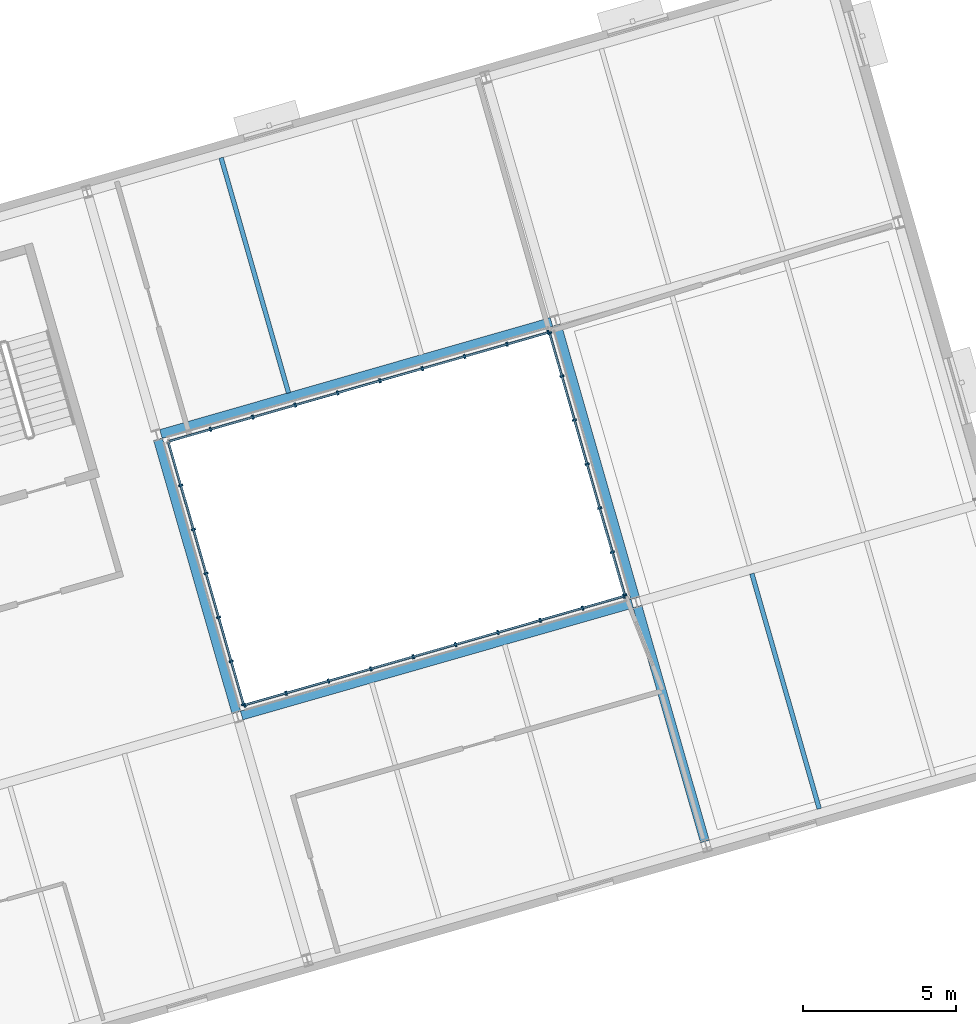
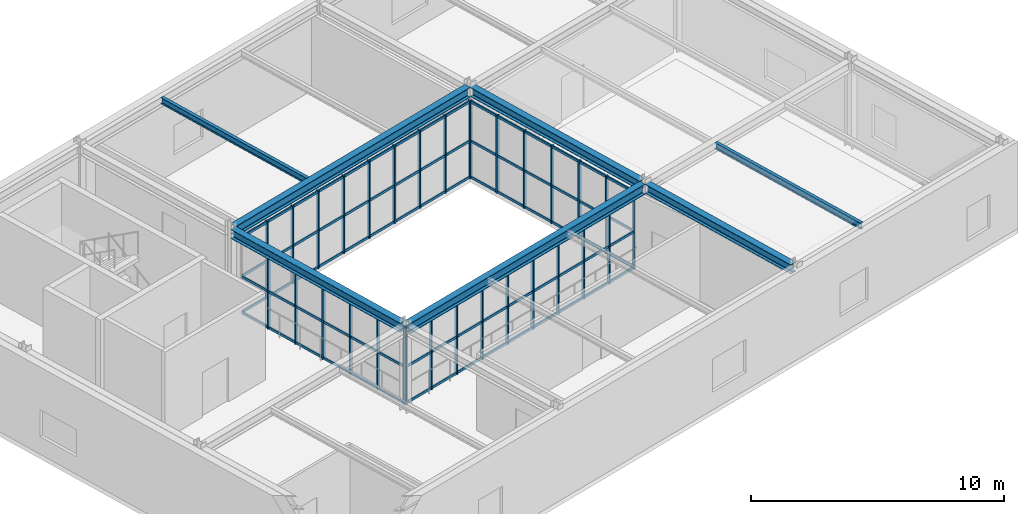
# One storey, part 53 of 103: 44 members, 7 beams, 4 elements without a shape of their own.
"""IFC4 building model written with IfcOpenShell, lengths in metres."""

from ifc_helpers import new_model, si_unit, direction, frame, origin, origin_2d, place, context, subcontext, project, spatial, rectangle, i_section, extrude, material, material_profile, profile_set, type_object, element, aggregate, save


model = new_model("IFC4")

# Units and contexts
model_context = context("Model", 3, precision=1e-05, world=origin(), true_north=direction((0.0, 1.0)))
body_context = subcontext(model_context, "Body", "Model", "MODEL_VIEW")
ifc_project = project(units=[si_unit("LENGTHUNIT", "METRE"), si_unit("AREAUNIT", "SQUARE_METRE"), si_unit("VOLUMEUNIT", "CUBIC_METRE"), si_unit("PLANEANGLEUNIT", "RADIAN"), si_unit("MASSUNIT", "GRAM", prefix="KILO")], contexts=[model_context])

# Site, building, storey
site_placement = place(None, origin())
site = spatial("IfcSite", under=ifc_project, at=site_placement, CompositionType="ELEMENT")
building_placement = place(site_placement, origin())
building = spatial("IfcBuilding", under=site, at=building_placement, Name="Varnklinge Art Gallery", CompositionType="ELEMENT")
storey_placement = place(building_placement, frame((0.0, 0.0, 5.10009765625)))
storey = spatial("IfcBuildingStorey", under=building, at=storey_placement, Name="L01", CompositionType="ELEMENT", Elevation=5.10009765625)

# Beams
ifc_material_1 = material(Name="Steel S355", Category="steel")
ifc_material_profile_1 = material_profile(ifc_material_1, i_section(OverallWidth=0.300048828125, OverallDepth=0.489990234375, WebThickness=0.011962890625, FlangeThickness=0.02294921875, FilletRadius=0.027099609375, at=origin_2d()), Name="HEA 500")
ifc_profile_set_1 = profile_set([ifc_material_profile_1], Name="Steel S355")
beam_type_1 = type_object("IfcBeamType", Name="BM-07", PredefinedType="BEAM", material=ifc_profile_set_1)
for number, where, z_axis, x_axis, name in (
    (1, (133.921142578125, 21.05029296875, 3.954833984375), (0.961263452766, 0.275631228958, 0.0), (-0.275631228958, 0.961263452766, 0.0), "L01 BM-07 BM-V6-L02-U1-1"),
    (2, (131.27490234375, 30.2783203125, 3.954833984375), (0.961263452766, 0.275631228958, 0.0), (-0.275631228958, 0.961263452766, 0.0), "L01 BM-07 BM-V6-L02-U2-1"),
):
    element("IfcBeam", number, at=place(storey_placement, frame(where, z_axis=z_axis, x_axis=x_axis)), inside=storey, type_object=beam_type_1, Name=name, PredefinedType="BEAM", context=body_context, shape_type="SweptSolid", body=[
        extrude(i_section(OverallWidth=0.300048828125, OverallDepth=0.489990234375, WebThickness=0.011962890625, FlangeThickness=0.02294921875, FilletRadius=0.027099609375, at=origin_2d()), origin(), (0.0, 0.0, 1.0), 13.31982421875),
    ])
ifc_material_2 = material(Name="Steel S355", Category="steel")
ifc_material_profile_2 = material_profile(ifc_material_2, i_section(OverallWidth=0.300048828125, OverallDepth=0.43994140625, WebThickness=0.011474609375, FlangeThickness=0.02099609375, FilletRadius=0.027099609375, at=origin_2d()), Name="HEA 450")
ifc_profile_set_2 = profile_set([ifc_material_profile_2], Name="Steel S355")
beam_type_2 = type_object("IfcBeamType", Name="BM-08", PredefinedType="BEAM", material=ifc_profile_set_2)
beam_1_placement = place(storey_placement, frame((133.747802734375, 21.146240234375, 3.97998046875), z_axis=(-0.275634404399, 0.961262542239, 0.0), x_axis=(-0.961262542239, -0.275634404399, 0.0)))
element("IfcBeam", 3, at=beam_1_placement, inside=storey, type_object=beam_type_2, Name="L01 BM-08 BM-V6-L02-V1-1", PredefinedType="BEAM", context=body_context, shape_type="SweptSolid", body=[
    extrude(i_section(OverallWidth=0.300048828125, OverallDepth=0.43994140625, WebThickness=0.011474609375, FlangeThickness=0.02099609375, FilletRadius=0.027099609375, at=origin_2d()), origin(), (0.0, 0.0, 1.0), 9.31982421875),
])
beam_2_placement = place(storey_placement, frame((149.10888671875, 16.91650390625, 3.97998046875), z_axis=(-0.275649759333, 0.961258139201, 0.0), x_axis=(-0.961258139201, -0.275649759333, 0.0)))
element("IfcBeam", 4, at=beam_2_placement, inside=storey, type_object=beam_type_2, Name="L01 BM-08 BM-V6-L02-V2-0", PredefinedType="BEAM", context=body_context, shape_type="SweptSolid", body=[
    extrude(i_section(OverallWidth=0.300048828125, OverallDepth=0.43994140625, WebThickness=0.011474609375, FlangeThickness=0.02099609375, FilletRadius=0.027099609375, at=origin_2d()), origin(), (0.0, 0.0, 1.0), 8.02001953125),
])
beam_3_placement = place(storey_placement, frame((146.821044921875, 24.89501953125, 3.97998046875), z_axis=(-0.275634404399, 0.961262542239, 0.0), x_axis=(-0.961262542239, -0.275634404399, 0.0)))
element("IfcBeam", 5, at=beam_3_placement, inside=storey, type_object=beam_type_2, Name="L01 BM-08 BM-V6-L02-V2-1", PredefinedType="BEAM", context=body_context, shape_type="SweptSolid", body=[
    extrude(i_section(OverallWidth=0.300048828125, OverallDepth=0.43994140625, WebThickness=0.011474609375, FlangeThickness=0.02099609375, FilletRadius=0.027099609375, at=origin_2d()), origin(), (0.0, 0.0, 1.0), 9.31982421875),
])
ifc_material_3 = material(Name="Steel S355", Category="steel")
ifc_material_profile_3 = material_profile(ifc_material_3, i_section(OverallWidth=0.14990234375, OverallDepth=0.300048828125, WebThickness=0.007080078125, FlangeThickness=0.0107421875, FilletRadius=0.014892578125, at=origin_2d()), Name="IPE 300")
ifc_profile_set_3 = profile_set([ifc_material_profile_3], Name="Steel S355")
beam_type_3 = type_object("IfcBeamType", Name="JST-08", PredefinedType="JOIST", material=ifc_profile_set_3)
beam_4_placement = place(storey_placement, frame((135.45947265625, 31.623779296875, 4.0498046875), z_axis=(-0.2756416934, 0.961260452146, 0.0), x_axis=(-0.961260452146, -0.2756416934, 0.0)))
element("IfcBeam", 6, at=beam_4_placement, inside=storey, type_object=beam_type_3, Name="L01 JST-08 JST-V6-L02-1-2-1", PredefinedType="JOIST", context=body_context, shape_type="SweptSolid", body=[
    extrude(i_section(OverallWidth=0.14990234375, OverallDepth=0.300048828125, WebThickness=0.007080078125, FlangeThickness=0.0107421875, FilletRadius=0.014892578125, at=origin_2d()), origin(), (0.0, 0.0, 1.0), 8.020263671875),
])
beam_5_placement = place(storey_placement, frame((152.857666015625, 17.991455078125, 4.0498046875), z_axis=(-0.275621630307, 0.961266205016, 0.0), x_axis=(-0.961266205016, -0.275621630307, 0.0)))
element("IfcBeam", 7, at=beam_5_placement, inside=storey, type_object=beam_type_3, Name="L01 JST-08 JST-V6-L02-2-0-1", PredefinedType="JOIST", context=body_context, shape_type="SweptSolid", body=[
    extrude(i_section(OverallWidth=0.14990234375, OverallDepth=0.300048828125, WebThickness=0.007080078125, FlangeThickness=0.0107421875, FilletRadius=0.014892578125, at=origin_2d()), origin(), (0.0, 0.0, 1.0), 8.019775390625),
])

# Curtain wall, members
ifc_material_4 = material(Name="Anodised Aluminium", Category="aluminium")
curtain_wall_type = type_object("IfcCurtainWallType", Name="CW-C02", PredefinedType="USERDEFINED", material=ifc_material_4)
curtain_wall_1_placement = place(storey_placement, origin())
curtain_wall_1 = element("IfcCurtainWall", 8, at=curtain_wall_1_placement, inside=storey, type_object=curtain_wall_type, Name="L01 Curtain Wall CW-V6C-L01-1", ObjectType="UNITISED CURTAIN WALL", PredefinedType="USERDEFINED")
ifc_material_5 = material(Name="Anodised Aluminium", Category="aluminium")
ifc_material_profile_4 = material_profile(ifc_material_5, rectangle(XDim=0.06005859375, YDim=0.139892578125, at=origin_2d()), Name="ALU 60x140")
ifc_profile_set_4 = profile_set([ifc_material_profile_4], Name="Anodised Aluminium")
member_type_1 = type_object("IfcMemberType", Name="MUL-03", PredefinedType="MULLION", material=ifc_profile_set_4)
member_1_placement = place(storey_placement, frame((146.459716796875, 24.957763671875, 0.0), z_axis=(0.0, 0.0, 1.0), x_axis=(-0.961261695938, -0.275637355817, 0.0)))
member_1 = element("IfcMember", 9, at=member_1_placement, type_object=member_type_1, Name="CW-V6C-L01-1 Mullion 1", PredefinedType="MULLION", context=body_context, shape_type="SweptSolid", body=[
    extrude(rectangle(XDim=0.06005859375, YDim=0.139892578125, at=origin_2d()), origin(), (0.0, 0.0, 1.0), 3.75),
])
member_2_placement = place(storey_placement, frame((145.10009765625, 24.56787109375, 0.0), z_axis=(0.0, 0.0, 1.0), x_axis=(-0.961261695938, -0.275637355817, 0.0)))
member_2 = element("IfcMember", 10, at=member_2_placement, type_object=member_type_1, Name="CW-V6C-L01-1 Mullion 2", PredefinedType="MULLION", context=body_context, shape_type="SweptSolid", body=[
    extrude(rectangle(XDim=0.06005859375, YDim=0.139892578125, at=origin_2d()), origin(), (0.0, 0.0, 1.0), 3.75),
])
member_3_placement = place(storey_placement, frame((143.711669921875, 24.169677734375, 0.0), z_axis=(0.0, 0.0, 1.0), x_axis=(-0.961261695938, -0.275637355817, 0.0)))
member_3 = element("IfcMember", 11, at=member_3_placement, type_object=member_type_1, Name="CW-V6C-L01-1 Mullion 3", PredefinedType="MULLION", context=body_context, shape_type="SweptSolid", body=[
    extrude(rectangle(XDim=0.06005859375, YDim=0.139892578125, at=origin_2d()), origin(), (0.0, 0.0, 1.0), 3.75),
])
member_4_placement = place(storey_placement, frame((142.322998046875, 23.771484375, 0.0), z_axis=(0.0, 0.0, 1.0), x_axis=(-0.961261695938, -0.275637355817, 0.0)))
member_4 = element("IfcMember", 12, at=member_4_placement, type_object=member_type_1, Name="CW-V6C-L01-1 Mullion 4", PredefinedType="MULLION", context=body_context, shape_type="SweptSolid", body=[
    extrude(rectangle(XDim=0.06005859375, YDim=0.139892578125, at=origin_2d()), origin(), (0.0, 0.0, 1.0), 3.75),
])
member_5_placement = place(storey_placement, frame((140.9345703125, 23.373291015625, 0.0), z_axis=(0.0, 0.0, 1.0), x_axis=(-0.961261695938, -0.275637355817, 0.0)))
member_5 = element("IfcMember", 13, at=member_5_placement, type_object=member_type_1, Name="CW-V6C-L01-1 Mullion 5", PredefinedType="MULLION", context=body_context, shape_type="SweptSolid", body=[
    extrude(rectangle(XDim=0.06005859375, YDim=0.139892578125, at=origin_2d()), origin(), (0.0, 0.0, 1.0), 3.75),
])
member_6_placement = place(storey_placement, frame((139.546142578125, 22.975341796875, 0.0), z_axis=(0.0, 0.0, 1.0), x_axis=(-0.961261695938, -0.275637355817, 0.0)))
member_6 = element("IfcMember", 14, at=member_6_placement, type_object=member_type_1, Name="CW-V6C-L01-1 Mullion 6", PredefinedType="MULLION", context=body_context, shape_type="SweptSolid", body=[
    extrude(rectangle(XDim=0.06005859375, YDim=0.139892578125, at=origin_2d()), origin(), (0.0, 0.0, 1.0), 3.75),
])
member_7_placement = place(storey_placement, frame((138.15771484375, 22.5771484375, 0.0), z_axis=(0.0, 0.0, 1.0), x_axis=(-0.961261695938, -0.275637355817, 0.0)))
member_7 = element("IfcMember", 15, at=member_7_placement, type_object=member_type_1, Name="CW-V6C-L01-1 Mullion 7", PredefinedType="MULLION", context=body_context, shape_type="SweptSolid", body=[
    extrude(rectangle(XDim=0.06005859375, YDim=0.139892578125, at=origin_2d()), origin(), (0.0, 0.0, 1.0), 3.75),
])
member_8_placement = place(storey_placement, frame((136.769287109375, 22.178955078125, 0.0), z_axis=(0.0, 0.0, 1.0), x_axis=(-0.961261695938, -0.275637355817, 0.0)))
member_8 = element("IfcMember", 16, at=member_8_placement, type_object=member_type_1, Name="CW-V6C-L01-1 Mullion 8", PredefinedType="MULLION", context=body_context, shape_type="SweptSolid", body=[
    extrude(rectangle(XDim=0.06005859375, YDim=0.139892578125, at=origin_2d()), origin(), (0.0, 0.0, 1.0), 3.75),
])
member_9_placement = place(storey_placement, frame((135.380615234375, 21.78076171875, 0.0), z_axis=(0.0, 0.0, 1.0), x_axis=(-0.961261695938, -0.275637355817, 0.0)))
member_9 = element("IfcMember", 17, at=member_9_placement, type_object=member_type_1, Name="CW-V6C-L01-1 Mullion 9", PredefinedType="MULLION", context=body_context, shape_type="SweptSolid", body=[
    extrude(rectangle(XDim=0.06005859375, YDim=0.139892578125, at=origin_2d()), origin(), (0.0, 0.0, 1.0), 3.75),
])
member_10_placement = place(storey_placement, frame((134.02099609375, 21.39111328125, 0.0), z_axis=(0.0, 0.0, 1.0), x_axis=(-0.961261695938, -0.275637355817, 0.0)))
member_10 = element("IfcMember", 18, at=member_10_placement, type_object=member_type_1, Name="CW-V6C-L01-1 Mullion 10", PredefinedType="MULLION", context=body_context, shape_type="SweptSolid", body=[
    extrude(rectangle(XDim=0.06005859375, YDim=0.139892578125, at=origin_2d()), origin(), (0.0, 0.0, 1.0), 3.75),
])

curtain_wall_2_placement = place(storey_placement, origin())
curtain_wall_2 = element("IfcCurtainWall", 19, at=curtain_wall_2_placement, inside=storey, type_object=curtain_wall_type, Name="L01 Curtain Wall CW-V6C-L01-2", ObjectType="UNITISED CURTAIN WALL", PredefinedType="USERDEFINED")
member_11_placement = place(storey_placement, frame((144.01611328125, 33.58837890625, 0.0), z_axis=(0.0, 0.0, 1.0), x_axis=(0.275637355817, -0.961261695938, 0.0)))
member_11 = element("IfcMember", 20, at=member_11_placement, type_object=member_type_1, Name="CW-V6C-L01-2 Mullion 1", PredefinedType="MULLION", context=body_context, shape_type="SweptSolid", body=[
    extrude(rectangle(XDim=0.06005859375, YDim=0.139892578125, at=origin_2d()), origin(), (0.0, 0.0, 1.0), 3.75),
])
member_12_placement = place(storey_placement, frame((144.42138671875, 32.17529296875, 0.0), z_axis=(0.0, 0.0, 1.0), x_axis=(0.275637355817, -0.961261695938, 0.0)))
member_12 = element("IfcMember", 21, at=member_12_placement, type_object=member_type_1, Name="CW-V6C-L01-2 Mullion 2", PredefinedType="MULLION", context=body_context, shape_type="SweptSolid", body=[
    extrude(rectangle(XDim=0.06005859375, YDim=0.139892578125, at=origin_2d()), origin(), (0.0, 0.0, 1.0), 3.75),
])
member_13_placement = place(storey_placement, frame((144.834716796875, 30.7333984375, 0.0), z_axis=(0.0, 0.0, 1.0), x_axis=(0.275637355817, -0.961261695938, 0.0)))
member_13 = element("IfcMember", 22, at=member_13_placement, type_object=member_type_1, Name="CW-V6C-L01-2 Mullion 3", PredefinedType="MULLION", context=body_context, shape_type="SweptSolid", body=[
    extrude(rectangle(XDim=0.06005859375, YDim=0.139892578125, at=origin_2d()), origin(), (0.0, 0.0, 1.0), 3.75),
])
member_14_placement = place(storey_placement, frame((145.248291015625, 29.291748046875, 0.0), z_axis=(0.0, 0.0, 1.0), x_axis=(0.275637355817, -0.961261695938, 0.0)))
member_14 = element("IfcMember", 23, at=member_14_placement, type_object=member_type_1, Name="CW-V6C-L01-2 Mullion 4", PredefinedType="MULLION", context=body_context, shape_type="SweptSolid", body=[
    extrude(rectangle(XDim=0.06005859375, YDim=0.139892578125, at=origin_2d()), origin(), (0.0, 0.0, 1.0), 3.75),
])
member_15_placement = place(storey_placement, frame((145.66162109375, 27.849853515625, 0.0), z_axis=(0.0, 0.0, 1.0), x_axis=(0.275637355817, -0.961261695938, 0.0)))
member_15 = element("IfcMember", 24, at=member_15_placement, type_object=member_type_1, Name="CW-V6C-L01-2 Mullion 5", PredefinedType="MULLION", context=body_context, shape_type="SweptSolid", body=[
    extrude(rectangle(XDim=0.06005859375, YDim=0.139892578125, at=origin_2d()), origin(), (0.0, 0.0, 1.0), 3.75),
])
member_16_placement = place(storey_placement, frame((146.0751953125, 26.407958984375, 0.0), z_axis=(0.0, 0.0, 1.0), x_axis=(0.275637355817, -0.961261695938, 0.0)))
member_16 = element("IfcMember", 25, at=member_16_placement, type_object=member_type_1, Name="CW-V6C-L01-2 Mullion 6", PredefinedType="MULLION", context=body_context, shape_type="SweptSolid", body=[
    extrude(rectangle(XDim=0.06005859375, YDim=0.139892578125, at=origin_2d()), origin(), (0.0, 0.0, 1.0), 3.75),
])
member_17_placement = place(storey_placement, frame((146.480224609375, 24.994873046875, 0.0), z_axis=(0.0, 0.0, 1.0), x_axis=(0.275637355817, -0.961261695938, 0.0)))
member_17 = element("IfcMember", 26, at=member_17_placement, type_object=member_type_1, Name="CW-V6C-L01-2 Mullion 7", PredefinedType="MULLION", context=body_context, shape_type="SweptSolid", body=[
    extrude(rectangle(XDim=0.06005859375, YDim=0.139892578125, at=origin_2d()), origin(), (0.0, 0.0, 1.0), 3.75),
])

curtain_wall_3_placement = place(storey_placement, origin())
curtain_wall_3 = element("IfcCurtainWall", 27, at=curtain_wall_3_placement, inside=storey, type_object=curtain_wall_type, Name="L01 Curtain Wall CW-V6C-L01-3", ObjectType="UNITISED CURTAIN WALL", PredefinedType="USERDEFINED")
member_18_placement = place(storey_placement, frame((132.89990234375, 30.43212890625, 0.0), z_axis=(0.0, 0.0, 1.0), x_axis=(0.961261695938, 0.275637355817, 0.0)))
member_18 = element("IfcMember", 28, at=member_18_placement, type_object=member_type_1, Name="CW-V6C-L01-3 Mullion 2", PredefinedType="MULLION", context=body_context, shape_type="SweptSolid", body=[
    extrude(rectangle(XDim=0.06005859375, YDim=0.139892578125, at=origin_2d()), origin(), (0.0, 0.0, 1.0), 3.75),
])
member_19_placement = place(storey_placement, frame((134.288330078125, 30.830322265625, 0.0), z_axis=(0.0, 0.0, 1.0), x_axis=(0.961261695938, 0.275637355817, 0.0)))
member_19 = element("IfcMember", 29, at=member_19_placement, type_object=member_type_1, Name="CW-V6C-L01-3 Mullion 3", PredefinedType="MULLION", context=body_context, shape_type="SweptSolid", body=[
    extrude(rectangle(XDim=0.06005859375, YDim=0.139892578125, at=origin_2d()), origin(), (0.0, 0.0, 1.0), 3.75),
])
member_20_placement = place(storey_placement, frame((135.677001953125, 31.228515625, 0.0), z_axis=(0.0, 0.0, 1.0), x_axis=(0.961261695938, 0.275637355817, 0.0)))
member_20 = element("IfcMember", 30, at=member_20_placement, type_object=member_type_1, Name="CW-V6C-L01-3 Mullion 4", PredefinedType="MULLION", context=body_context, shape_type="SweptSolid", body=[
    extrude(rectangle(XDim=0.06005859375, YDim=0.139892578125, at=origin_2d()), origin(), (0.0, 0.0, 1.0), 3.75),
])
member_21_placement = place(storey_placement, frame((137.0654296875, 31.626708984375, 0.0), z_axis=(0.0, 0.0, 1.0), x_axis=(0.961261695938, 0.275637355817, 0.0)))
member_21 = element("IfcMember", 31, at=member_21_placement, type_object=member_type_1, Name="CW-V6C-L01-3 Mullion 5", PredefinedType="MULLION", context=body_context, shape_type="SweptSolid", body=[
    extrude(rectangle(XDim=0.06005859375, YDim=0.139892578125, at=origin_2d()), origin(), (0.0, 0.0, 1.0), 3.75),
])
member_22_placement = place(storey_placement, frame((138.453857421875, 32.024658203125, 0.0), z_axis=(0.0, 0.0, 1.0), x_axis=(0.961261695938, 0.275637355817, 0.0)))
member_22 = element("IfcMember", 32, at=member_22_placement, type_object=member_type_1, Name="CW-V6C-L01-3 Mullion 6", PredefinedType="MULLION", context=body_context, shape_type="SweptSolid", body=[
    extrude(rectangle(XDim=0.06005859375, YDim=0.139892578125, at=origin_2d()), origin(), (0.0, 0.0, 1.0), 3.75),
])
member_23_placement = place(storey_placement, frame((139.84228515625, 32.4228515625, 0.0), z_axis=(0.0, 0.0, 1.0), x_axis=(0.961261695938, 0.275637355817, 0.0)))
member_23 = element("IfcMember", 33, at=member_23_placement, type_object=member_type_1, Name="CW-V6C-L01-3 Mullion 7", PredefinedType="MULLION", context=body_context, shape_type="SweptSolid", body=[
    extrude(rectangle(XDim=0.06005859375, YDim=0.139892578125, at=origin_2d()), origin(), (0.0, 0.0, 1.0), 3.75),
])
member_24_placement = place(storey_placement, frame((141.230712890625, 32.821044921875, 0.0), z_axis=(0.0, 0.0, 1.0), x_axis=(0.961261695938, 0.275637355817, 0.0)))
member_24 = element("IfcMember", 34, at=member_24_placement, type_object=member_type_1, Name="CW-V6C-L01-3 Mullion 8", PredefinedType="MULLION", context=body_context, shape_type="SweptSolid", body=[
    extrude(rectangle(XDim=0.06005859375, YDim=0.139892578125, at=origin_2d()), origin(), (0.0, 0.0, 1.0), 3.75),
])
member_25_placement = place(storey_placement, frame((142.619384765625, 33.21923828125, 0.0), z_axis=(0.0, 0.0, 1.0), x_axis=(0.961261695938, 0.275637355817, 0.0)))
member_25 = element("IfcMember", 35, at=member_25_placement, type_object=member_type_1, Name="CW-V6C-L01-3 Mullion 9", PredefinedType="MULLION", context=body_context, shape_type="SweptSolid", body=[
    extrude(rectangle(XDim=0.06005859375, YDim=0.139892578125, at=origin_2d()), origin(), (0.0, 0.0, 1.0), 3.75),
])
member_26_placement = place(storey_placement, frame((143.97900390625, 33.60888671875, 0.0), z_axis=(0.0, 0.0, 1.0), x_axis=(0.961261695938, 0.275637355817, 0.0)))
member_26 = element("IfcMember", 36, at=member_26_placement, type_object=member_type_1, Name="CW-V6C-L01-3 Mullion 10", PredefinedType="MULLION", context=body_context, shape_type="SweptSolid", body=[
    extrude(rectangle(XDim=0.06005859375, YDim=0.139892578125, at=origin_2d()), origin(), (0.0, 0.0, 1.0), 3.75),
])

curtain_wall_4_placement = place(storey_placement, origin())
curtain_wall_4 = element("IfcCurtainWall", 37, at=curtain_wall_4_placement, inside=storey, type_object=curtain_wall_type, Name="L01 Curtain Wall CW-V6C-L01-4", ObjectType="UNITISED CURTAIN WALL", PredefinedType="USERDEFINED")
member_27_placement = place(storey_placement, frame((133.98388671875, 21.41162109375, 0.0), z_axis=(0.0, 0.0, 1.0), x_axis=(-0.275637355817, 0.961261695938, 0.0)))
member_27 = element("IfcMember", 38, at=member_27_placement, type_object=member_type_1, Name="CW-V6C-L01-4 Mullion 1", PredefinedType="MULLION", context=body_context, shape_type="SweptSolid", body=[
    extrude(rectangle(XDim=0.06005859375, YDim=0.139892578125, at=origin_2d()), origin(), (0.0, 0.0, 1.0), 3.75),
])
member_28_placement = place(storey_placement, frame((133.57861328125, 22.82470703125, 0.0), z_axis=(0.0, 0.0, 1.0), x_axis=(-0.275637355817, 0.961261695938, 0.0)))
member_28 = element("IfcMember", 39, at=member_28_placement, type_object=member_type_1, Name="CW-V6C-L01-4 Mullion 2", PredefinedType="MULLION", context=body_context, shape_type="SweptSolid", body=[
    extrude(rectangle(XDim=0.06005859375, YDim=0.139892578125, at=origin_2d()), origin(), (0.0, 0.0, 1.0), 3.75),
])
member_29_placement = place(storey_placement, frame((133.165283203125, 24.2666015625, 0.0), z_axis=(0.0, 0.0, 1.0), x_axis=(-0.275637355817, 0.961261695938, 0.0)))
member_29 = element("IfcMember", 40, at=member_29_placement, type_object=member_type_1, Name="CW-V6C-L01-4 Mullion 3", PredefinedType="MULLION", context=body_context, shape_type="SweptSolid", body=[
    extrude(rectangle(XDim=0.06005859375, YDim=0.139892578125, at=origin_2d()), origin(), (0.0, 0.0, 1.0), 3.75),
])
member_30_placement = place(storey_placement, frame((132.751708984375, 25.708251953125, 0.0), z_axis=(0.0, 0.0, 1.0), x_axis=(-0.275637355817, 0.961261695938, 0.0)))
member_30 = element("IfcMember", 41, at=member_30_placement, type_object=member_type_1, Name="CW-V6C-L01-4 Mullion 4", PredefinedType="MULLION", context=body_context, shape_type="SweptSolid", body=[
    extrude(rectangle(XDim=0.06005859375, YDim=0.139892578125, at=origin_2d()), origin(), (0.0, 0.0, 1.0), 3.75),
])
member_31_placement = place(storey_placement, frame((132.33837890625, 27.150146484375, 0.0), z_axis=(0.0, 0.0, 1.0), x_axis=(-0.275637355817, 0.961261695938, 0.0)))
member_31 = element("IfcMember", 42, at=member_31_placement, type_object=member_type_1, Name="CW-V6C-L01-4 Mullion 5", PredefinedType="MULLION", context=body_context, shape_type="SweptSolid", body=[
    extrude(rectangle(XDim=0.06005859375, YDim=0.139892578125, at=origin_2d()), origin(), (0.0, 0.0, 1.0), 3.75),
])
member_32_placement = place(storey_placement, frame((131.9248046875, 28.592041015625, 0.0), z_axis=(0.0, 0.0, 1.0), x_axis=(-0.275637355817, 0.961261695938, 0.0)))
member_32 = element("IfcMember", 43, at=member_32_placement, type_object=member_type_1, Name="CW-V6C-L01-4 Mullion 6", PredefinedType="MULLION", context=body_context, shape_type="SweptSolid", body=[
    extrude(rectangle(XDim=0.06005859375, YDim=0.139892578125, at=origin_2d()), origin(), (0.0, 0.0, 1.0), 3.75),
])

# Member
ifc_material_6 = material(Name="Anodised Aluminium", Category="aluminium")
ifc_material_profile_5 = material_profile(ifc_material_6, rectangle(XDim=0.06005859375, YDim=0.1201171875, at=origin_2d()), Name="ALU 60x120")
ifc_profile_set_5 = profile_set([ifc_material_profile_5], Name="Anodised Aluminium")
member_type_2 = type_object("IfcMemberType", Name="TRN-02", PredefinedType="USERDEFINED", material=ifc_profile_set_5)
member_33_placement = place(storey_placement, frame((146.459716796875, 24.957763671875, 0.059814453125), z_axis=(-0.961263648834, -0.275630545169, 0.0), x_axis=(0.275630545169, -0.961263648834, 0.0)))
member_33 = element("IfcMember", 44, at=member_33_placement, type_object=member_type_2, Name="CW-V6C-L01-1 Transom 1", ObjectType="TRANSOM", PredefinedType="USERDEFINED", context=body_context, shape_type="SweptSolid", body=[
    extrude(rectangle(XDim=0.06005859375, YDim=0.1201171875, at=origin_2d()), origin(), (0.0, 0.0, 1.0), 12.93994140625),
])

member_34_placement = place(storey_placement, frame((146.459716796875, 24.957763671875, 1.7998046875), z_axis=(-0.961263648834, -0.275630545169, 0.0), x_axis=(0.275630545169, -0.961263648834, 0.0)))
member_34 = element("IfcMember", 45, at=member_34_placement, type_object=member_type_2, Name="CW-V6C-L01-1 Transom 2", ObjectType="TRANSOM", PredefinedType="USERDEFINED", context=body_context, shape_type="SweptSolid", body=[
    extrude(rectangle(XDim=0.06005859375, YDim=0.1201171875, at=origin_2d()), origin(), (0.0, 0.0, 1.0), 12.93994140625),
])

member_35_placement = place(storey_placement, frame((146.459716796875, 24.957763671875, 3.68994140625), z_axis=(-0.961263648834, -0.275630545169, 0.0), x_axis=(0.275630545169, -0.961263648834, 0.0)))
member_35 = element("IfcMember", 46, at=member_35_placement, type_object=member_type_2, Name="CW-V6C-L01-1 Transom 3", ObjectType="TRANSOM", PredefinedType="USERDEFINED", context=body_context, shape_type="SweptSolid", body=[
    extrude(rectangle(XDim=0.06005859375, YDim=0.1201171875, at=origin_2d()), origin(), (0.0, 0.0, 1.0), 12.93994140625),
])

aggregate(curtain_wall_1, [member_1, member_2, member_3, member_4, member_5, member_6, member_7, member_8, member_9, member_10, member_33, member_34, member_35])

member_36_placement = place(storey_placement, frame((144.01611328125, 33.58837890625, 0.059814453125), z_axis=(0.275633549608, -0.961262787343, 0.0), x_axis=(0.961262787343, 0.275633549608, 0.0)))
member_36 = element("IfcMember", 47, at=member_36_placement, type_object=member_type_2, Name="CW-V6C-L01-2 Transom 1", ObjectType="TRANSOM", PredefinedType="USERDEFINED", context=body_context, shape_type="SweptSolid", body=[
    extrude(rectangle(XDim=0.06005859375, YDim=0.1201171875, at=origin_2d()), origin(), (0.0, 0.0, 1.0), 8.939697265625),
])

member_37_placement = place(storey_placement, frame((144.01611328125, 33.58837890625, 1.7998046875), z_axis=(0.275633549608, -0.961262787343, 0.0), x_axis=(0.961262787343, 0.275633549608, 0.0)))
member_37 = element("IfcMember", 48, at=member_37_placement, type_object=member_type_2, Name="CW-V6C-L01-2 Transom 2", ObjectType="TRANSOM", PredefinedType="USERDEFINED", context=body_context, shape_type="SweptSolid", body=[
    extrude(rectangle(XDim=0.06005859375, YDim=0.1201171875, at=origin_2d()), origin(), (0.0, 0.0, 1.0), 8.939697265625),
])

member_38_placement = place(storey_placement, frame((144.01611328125, 33.58837890625, 3.68994140625), z_axis=(0.275633549608, -0.961262787343, 0.0), x_axis=(0.961262787343, 0.275633549608, 0.0)))
member_38 = element("IfcMember", 49, at=member_38_placement, type_object=member_type_2, Name="CW-V6C-L01-2 Transom 3", ObjectType="TRANSOM", PredefinedType="USERDEFINED", context=body_context, shape_type="SweptSolid", body=[
    extrude(rectangle(XDim=0.06005859375, YDim=0.1201171875, at=origin_2d()), origin(), (0.0, 0.0, 1.0), 8.939697265625),
])

aggregate(curtain_wall_2, [member_11, member_12, member_13, member_14, member_15, member_16, member_17, member_36, member_37, member_38])

member_39_placement = place(storey_placement, frame((131.540283203125, 30.042236328125, 0.059814453125), z_axis=(0.961263648834, 0.275630545169, 0.0), x_axis=(-0.275630545169, 0.961263648834, 0.0)))
member_39 = element("IfcMember", 50, at=member_39_placement, type_object=member_type_2, Name="CW-V6C-L01-3 Transom 1", ObjectType="TRANSOM", PredefinedType="USERDEFINED", context=body_context, shape_type="SweptSolid", body=[
    extrude(rectangle(XDim=0.06005859375, YDim=0.1201171875, at=origin_2d()), origin(), (0.0, 0.0, 1.0), 12.93994140625),
])

member_40_placement = place(storey_placement, frame((131.540283203125, 30.042236328125, 1.7998046875), z_axis=(0.961263648834, 0.275630545169, 0.0), x_axis=(-0.275630545169, 0.961263648834, 0.0)))
member_40 = element("IfcMember", 51, at=member_40_placement, type_object=member_type_2, Name="CW-V6C-L01-3 Transom 2", ObjectType="TRANSOM", PredefinedType="USERDEFINED", context=body_context, shape_type="SweptSolid", body=[
    extrude(rectangle(XDim=0.06005859375, YDim=0.1201171875, at=origin_2d()), origin(), (0.0, 0.0, 1.0), 12.93994140625),
])

member_41_placement = place(storey_placement, frame((131.540283203125, 30.042236328125, 3.68994140625), z_axis=(0.961263648834, 0.275630545169, 0.0), x_axis=(-0.275630545169, 0.961263648834, 0.0)))
member_41 = element("IfcMember", 52, at=member_41_placement, type_object=member_type_2, Name="CW-V6C-L01-3 Transom 3", ObjectType="TRANSOM", PredefinedType="USERDEFINED", context=body_context, shape_type="SweptSolid", body=[
    extrude(rectangle(XDim=0.06005859375, YDim=0.1201171875, at=origin_2d()), origin(), (0.0, 0.0, 1.0), 12.93994140625),
])

aggregate(curtain_wall_3, [member_18, member_19, member_20, member_21, member_22, member_23, member_24, member_25, member_26, member_39, member_40, member_41])

member_42_placement = place(storey_placement, frame((133.98388671875, 21.41162109375, 0.059814453125), z_axis=(-0.275633549608, 0.961262787343, 0.0), x_axis=(-0.961262787343, -0.275633549608, 0.0)))
member_42 = element("IfcMember", 53, at=member_42_placement, type_object=member_type_2, Name="CW-V6C-L01-4 Transom 1", ObjectType="TRANSOM", PredefinedType="USERDEFINED", context=body_context, shape_type="SweptSolid", body=[
    extrude(rectangle(XDim=0.06005859375, YDim=0.1201171875, at=origin_2d()), origin(), (0.0, 0.0, 1.0), 8.939697265625),
])

member_43_placement = place(storey_placement, frame((133.98388671875, 21.41162109375, 1.7998046875), z_axis=(-0.275633549608, 0.961262787343, 0.0), x_axis=(-0.961262787343, -0.275633549608, 0.0)))
member_43 = element("IfcMember", 54, at=member_43_placement, type_object=member_type_2, Name="CW-V6C-L01-4 Transom 2", ObjectType="TRANSOM", PredefinedType="USERDEFINED", context=body_context, shape_type="SweptSolid", body=[
    extrude(rectangle(XDim=0.06005859375, YDim=0.1201171875, at=origin_2d()), origin(), (0.0, 0.0, 1.0), 8.939697265625),
])

member_44_placement = place(storey_placement, frame((133.98388671875, 21.41162109375, 3.68994140625), z_axis=(-0.275633549608, 0.961262787343, 0.0), x_axis=(-0.961262787343, -0.275633549608, 0.0)))
member_44 = element("IfcMember", 55, at=member_44_placement, type_object=member_type_2, Name="CW-V6C-L01-4 Transom 3", ObjectType="TRANSOM", PredefinedType="USERDEFINED", context=body_context, shape_type="SweptSolid", body=[
    extrude(rectangle(XDim=0.06005859375, YDim=0.1201171875, at=origin_2d()), origin(), (0.0, 0.0, 1.0), 8.939697265625),
])

aggregate(curtain_wall_4, [member_27, member_28, member_29, member_30, member_31, member_32, member_42, member_43, member_44])

save(model, "model.ifc")
